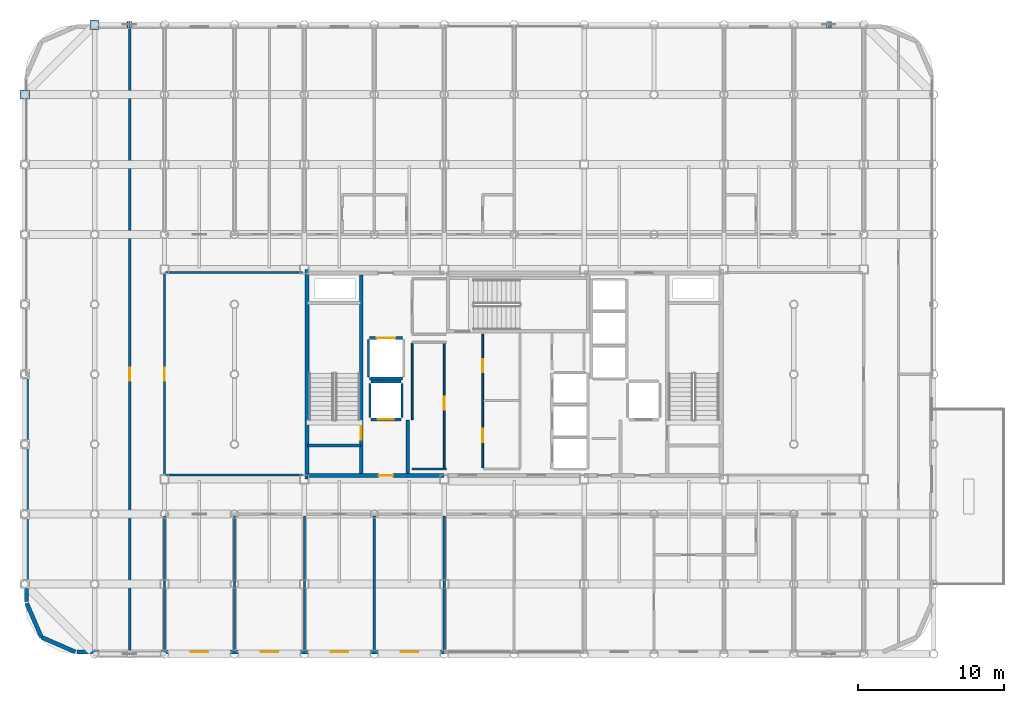
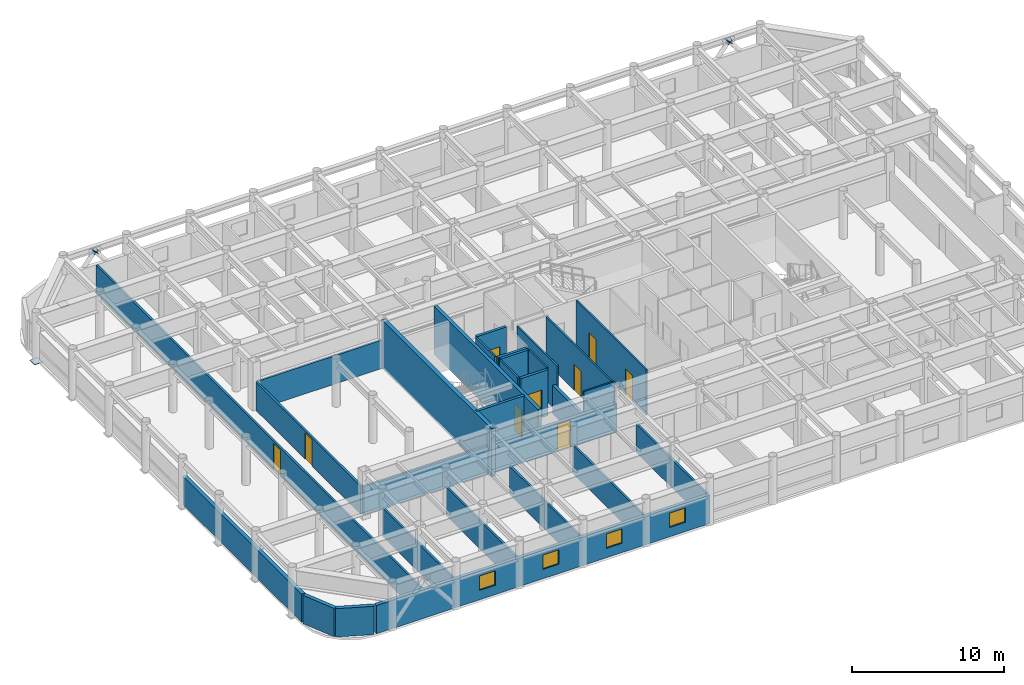
# One storey, part 19 of 25: 29 walls, 9 doors, 6 plates, 4 windows, 13 openings.
"""IFC4 building model written with IfcOpenShell, lengths in metres."""

from ifc_helpers import new_model, si_unit, direction, frame, frame_2d, origin, origin_2d, place, context, subcontext, project, spatial, polyline, rectangle, outline, extrude, material, layer, layer_set, type_object, element, fill, save


model = new_model("IFC4")

# Units and contexts
model_context = context("Model", 3, precision=1e-05, world=origin(), true_north=direction((0.0, 1.0)))
body_context = subcontext(model_context, "Body", "Model", "MODEL_VIEW")
ifc_project = project(units=[si_unit("LENGTHUNIT", "METRE"), si_unit("AREAUNIT", "SQUARE_METRE"), si_unit("VOLUMEUNIT", "CUBIC_METRE"), si_unit("PLANEANGLEUNIT", "RADIAN"), si_unit("MASSUNIT", "GRAM", prefix="KILO")], contexts=[model_context])

# Site, building, storey
site_placement = place(None, origin())
site = spatial("IfcSite", under=ifc_project, at=site_placement, CompositionType="ELEMENT")
building_placement = place(site_placement, origin())
building = spatial("IfcBuilding", under=site, at=building_placement, Name="Kallvorn Hotel Tower", CompositionType="ELEMENT")
storey_placement = place(building_placement, frame((0.0, 0.0, 249.25)))
storey = spatial("IfcBuildingStorey", under=building, at=storey_placement, Name="L62", CompositionType="ELEMENT", Elevation=249.25)

# Plates
ifc_material_1 = material(Name="Structural steel S355JR", Category="steel")
ifc_layer_1 = layer(ifc_material_1, 0.030029296875)
ifc_layer_set_1 = layer_set([ifc_layer_1], Name="PLT_CAP_30")
plate_type = type_object("IfcPlateType", Name="PLT_CAP_30", PredefinedType="SHEET", material=ifc_layer_set_1)
for number, where, z_axis, x_axis, name in (
    (1, (-33.60009765625, 19.199951171875, -0.2099609375), (0.0, 0.0, 1.0), (1.0, 0.0, 0.0), "L62 Hollow Column Base End Cap Plate 0285"),
    (2, (-28.800048828125, 24.0, -0.2099609375), (0.0, 0.0, 1.0), (1.0, 0.0, 0.0), "L62 Hollow Column Base End Cap Plate 0286"),
):
    element("IfcPlate", number, at=place(storey_placement, frame(where, z_axis=z_axis, x_axis=x_axis)), inside=storey, type_object=plate_type, Name=name, PredefinedType="SHEET", context=body_context, shape_type="SweptSolid", body=[
        extrude(rectangle(XDim=0.638916015625, YDim=0.638916015625, at=origin_2d()), origin(), (0.0, 0.0, 1.0), 0.030029296875),
    ])
plate_1_placement = place(storey_placement, frame((-26.235595703125, 23.798095703125, 3.09228515625), z_axis=(0.621445895256, 0.0, 0.783457081957), x_axis=(0.0, 1.0, 0.0)))
element("IfcPlate", 3, at=plate_1_placement, inside=storey, type_object=plate_type, Name="EXO-L62-N1A End Cap Plate B", PredefinedType="SHEET", context=body_context, shape_type="SweptSolid", body=[
    extrude(outline(polyline([(0.0, 0.0), (0.40380859375, 0.0), (0.40380859375, 0.40385907190922293), (0.0, 0.40385907190922293), (0.0, 0.0)])), origin(), (0.0, 0.0, -1.0), 0.030029296875),
])
plate_2_placement = place(storey_placement, frame((-26.564453125, 24.201904296875, 3.09228515625), z_axis=(-0.621151664719, 0.0, 0.783690378541), x_axis=(0.0, -1.0, 0.0)))
element("IfcPlate", 4, at=plate_2_placement, inside=storey, type_object=plate_type, Name="EXO-L62-N1B End Cap Plate B", PredefinedType="SHEET", context=body_context, shape_type="SweptSolid", body=[
    extrude(outline(polyline([(0.0, 0.0), (0.40380859375, 0.0), (0.40380859375, 0.4040503740962029), (0.0, 0.4040503740962029), (0.0, 0.0)])), origin(), (0.0, 0.0, -1.0), 0.030029296875),
])
plate_3_placement = place(storey_placement, frame((21.764404296875, 23.798095703125, 3.09228515625), z_axis=(0.621445895256, 0.0, 0.783457081957), x_axis=(0.0, 1.0, 0.0)))
element("IfcPlate", 5, at=plate_3_placement, inside=storey, type_object=plate_type, Name="EXO-L62-N2A End Cap Plate B", PredefinedType="SHEET", context=body_context, shape_type="SweptSolid", body=[
    extrude(outline(polyline([(0.0, 0.0), (0.40380859375, 0.0), (0.40380859375, 0.40385907190922293), (0.0, 0.40385907190922293), (0.0, 0.0)])), origin(), (0.0, 0.0, -1.0), 0.030029296875),
])
plate_4_placement = place(storey_placement, frame((21.435546875, 24.201904296875, 3.09228515625), z_axis=(-0.621151664719, 0.0, 0.783690378541), x_axis=(0.0, -1.0, 0.0)))
element("IfcPlate", 6, at=plate_4_placement, inside=storey, type_object=plate_type, Name="EXO-L62-N2B End Cap Plate B", PredefinedType="SHEET", context=body_context, shape_type="SweptSolid", body=[
    extrude(outline(polyline([(0.0, 0.0), (0.40380859375, 0.0), (0.40380859375, 0.4040503740962029), (0.0, 0.4040503740962029), (0.0, 0.0)])), origin(), (0.0, 0.0, -1.0), 0.030029296875),
])

# Walls
ifc_material_2 = material(Name="Concrete C50/60", Category="concrete")
ifc_layer_2 = layer(ifc_material_2, 0.300048828125)
ifc_layer_set_2 = layer_set([ifc_layer_2], Name="WL_CORE_300")
wall_type_1 = type_object("IfcWallType", Name="WL_CORE_300", PredefinedType="SHEAR", material=ifc_layer_set_2)
wall_1_placement = place(storey_placement, frame((-14.215087890625, -7.199951171875, -0.179931640625), z_axis=(0.0, 0.0, 1.0), x_axis=(0.0, 1.0, 0.0)))
element("IfcWall", 7, at=wall_1_placement, inside=storey, type_object=wall_type_1, Name="L62 Core West Shear Wall", PredefinedType="SHEAR", context=body_context, shape_type="SweptSolid", body=[
    extrude(rectangle(XDim=14.39990234375, YDim=0.300048828125, at=frame_2d((7.199951171875, 0.0))), origin(), (0.0, 0.0, 1.0), 3.849853515625),
])
ifc_material_3 = material(Name="Precast basalt-clad insulated concrete wall C40/50", Category="masonry")
ifc_layer_3 = layer(ifc_material_3, 0.280029296875)
ifc_layer_set_3 = layer_set([ifc_layer_3], Name="WL_EXT_LOGGIA_280")
wall_type_2 = type_object("IfcWallType", Name="WL_EXT_LOGGIA_280", PredefinedType="SOLIDWALL", material=ifc_layer_set_3)
wall_2_placement = place(storey_placement, frame((-33.4580078125, -15.720703125, 0.0), z_axis=(0.0, 0.0, 1.0), x_axis=(0.398792985289, -0.917040977756, 0.0)))
element("IfcWall", 8, at=wall_2_placement, inside=storey, type_object=wall_type_2, Name="L62 Rounded Corner Exterior Wall SW1", PredefinedType="SOLIDWALL", context=body_context, shape_type="SweptSolid", body=[
    extrude(rectangle(XDim=2.536376953125, YDim=0.280029296875, at=frame_2d((1.26806640625, 0.0))), origin(), (0.0, 0.0, 1.0), 2.27001953125),
])
wall_3_placement = place(storey_placement, frame((-32.446533203125, -18.046630859375, 0.0), z_axis=(0.0, 0.0, 1.0), x_axis=(0.917060872934, -0.398747232384, 0.0)))
element("IfcWall", 9, at=wall_3_placement, inside=storey, type_object=wall_type_2, Name="L62 Rounded Corner Exterior Wall SW2", PredefinedType="SOLIDWALL", context=body_context, shape_type="SweptSolid", body=[
    extrude(rectangle(XDim=2.5361328125, YDim=0.280029296875, at=frame_2d((1.26806640625, 0.0))), origin(), (0.0, 0.0, 1.0), 2.27001953125),
])

# Wall, openings, windows
wall_4_placement = place(storey_placement, frame((-30.0, -19.06005859375, 0.0), z_axis=(0.0, 0.0, 1.0), x_axis=(1.0, 0.0, 0.0)))
wall_4 = element("IfcWall", 10, at=wall_4_placement, inside=storey, type_object=wall_type_2, Name="L62 Exterior Envelope Wall EW-L62-SW", PredefinedType="SOLIDWALL", context=body_context, shape_type="SweptSolid", body=[
    extrude(rectangle(XDim=25.25, YDim=0.280029296875, at=frame_2d((12.625, 0.0))), origin(), (0.0, 0.0, 1.0), 2.27001953125),
])
opening_1_placement = place(wall_4_placement, frame((7.800048828125, 0.0, 0.75)))
opening_1 = element("IfcOpeningElement", 11, at=opening_1_placement, cuts=wall_4, Name="Opening W06A", PredefinedType="OPENING", context=body_context, shape_type="SweptSolid", body=[
    extrude(rectangle(XDim=1.199951171875, YDim=1.14990234375, at=frame_2d((0.60009765625, 0.574951171875))), frame((0.0, 0.155029296875, 0.0), z_axis=(0.0, -1.0, 0.0), x_axis=(1.0, 0.0, 0.0)), (0.0, 0.0, 1.0), 0.31005859375),
])
opening_2_placement = place(wall_4_placement, frame((12.60009765625, 0.0, 0.75)))
opening_2 = element("IfcOpeningElement", 12, at=opening_2_placement, cuts=wall_4, Name="Opening W06A", PredefinedType="OPENING", context=body_context, shape_type="SweptSolid", body=[
    extrude(rectangle(XDim=1.199951171875, YDim=1.14990234375, at=frame_2d((0.60009765625, 0.574951171875))), frame((0.0, 0.155029296875, 0.0), z_axis=(0.0, -1.0, 0.0), x_axis=(1.0, 0.0, 0.0)), (0.0, 0.0, 1.0), 0.31005859375),
])
opening_3_placement = place(wall_4_placement, frame((17.39990234375, 0.0, 0.75)))
opening_3 = element("IfcOpeningElement", 13, at=opening_3_placement, cuts=wall_4, Name="Opening W06A", PredefinedType="OPENING", context=body_context, shape_type="SweptSolid", body=[
    extrude(rectangle(XDim=1.199951171875, YDim=1.14990234375, at=frame_2d((0.60009765625, 0.574951171875))), frame((0.0, 0.155029296875, 0.0), z_axis=(0.0, -1.0, 0.0), x_axis=(1.0, 0.0, 0.0)), (0.0, 0.0, 1.0), 0.31005859375),
])
opening_4_placement = place(wall_4_placement, frame((22.199951171875, 0.0, 0.75)))
opening_4 = element("IfcOpeningElement", 14, at=opening_4_placement, cuts=wall_4, Name="Opening W06A", PredefinedType="OPENING", context=body_context, shape_type="SweptSolid", body=[
    extrude(rectangle(XDim=1.199951171875, YDim=1.14990234375, at=frame_2d((0.60009765625, 0.574951171875))), frame((0.0, 0.155029296875, 0.0), z_axis=(0.0, -1.0, 0.0), x_axis=(1.0, 0.0, 0.0)), (0.0, 0.0, 1.0), 0.31005859375),
])
ifc_material_4 = material(Name="Triple-glazed low-e acoustic solar-control dark glass", Category="glass")
window_type = type_object("IfcWindowType", Name="WN_HTL_1200x1150", PartitioningType="SINGLE_PANEL", PredefinedType="WINDOW", material=ifc_material_4)
window_1_placement = place(opening_1_placement, origin())
window_1 = element("IfcWindow", 15, at=window_1_placement, inside=storey, type_object=window_type, Name="L62 Guestroom Exterior Window 01", OverallHeight=1.14990234375, OverallWidth=1.199951171875, PartitioningType="SINGLE_PANEL", PredefinedType="WINDOW", context=body_context, shape_type="SweptSolid", body=[
    extrude(rectangle(XDim=1.199951171875, YDim=1.14990234375, at=frame_2d((0.60009765625, 0.574951171875))), frame((0.0, 0.030029296875, 0.0), z_axis=(0.0, -1.0, 0.0), x_axis=(1.0, 0.0, 0.0)), (0.0, 0.0, 1.0), 0.06005859375),
])
fill(opening_1, window_1)
window_2_placement = place(opening_2_placement, origin())
window_2 = element("IfcWindow", 16, at=window_2_placement, inside=storey, type_object=window_type, Name="L62 Guestroom Exterior Window 04", OverallHeight=1.14990234375, OverallWidth=1.199951171875, PartitioningType="SINGLE_PANEL", PredefinedType="WINDOW", context=body_context, shape_type="SweptSolid", body=[
    extrude(rectangle(XDim=1.199951171875, YDim=1.14990234375, at=frame_2d((0.60009765625, 0.574951171875))), frame((0.0, 0.030029296875, 0.0), z_axis=(0.0, -1.0, 0.0), x_axis=(1.0, 0.0, 0.0)), (0.0, 0.0, 1.0), 0.06005859375),
])
fill(opening_2, window_2)
window_3_placement = place(opening_3_placement, origin())
window_3 = element("IfcWindow", 17, at=window_3_placement, inside=storey, type_object=window_type, Name="L62 Guestroom Exterior Window 05", OverallHeight=1.14990234375, OverallWidth=1.199951171875, PartitioningType="SINGLE_PANEL", PredefinedType="WINDOW", context=body_context, shape_type="SweptSolid", body=[
    extrude(rectangle(XDim=1.199951171875, YDim=1.14990234375, at=frame_2d((0.60009765625, 0.574951171875))), frame((0.0, 0.030029296875, 0.0), z_axis=(0.0, -1.0, 0.0), x_axis=(1.0, 0.0, 0.0)), (0.0, 0.0, 1.0), 0.06005859375),
])
fill(opening_3, window_3)
window_4_placement = place(opening_4_placement, origin())
window_4 = element("IfcWindow", 18, at=window_4_placement, inside=storey, type_object=window_type, Name="L62 Guestroom Exterior Window 06", OverallHeight=1.14990234375, OverallWidth=1.199951171875, PartitioningType="SINGLE_PANEL", PredefinedType="WINDOW", context=body_context, shape_type="SweptSolid", body=[
    extrude(rectangle(XDim=1.199951171875, YDim=1.14990234375, at=frame_2d((0.60009765625, 0.574951171875))), frame((0.0, 0.030029296875, 0.0), z_axis=(0.0, -1.0, 0.0), x_axis=(1.0, 0.0, 0.0)), (0.0, 0.0, 1.0), 0.06005859375),
])
fill(opening_4, window_4)

# Walls
wall_5_placement = place(storey_placement, frame((-33.4599609375, -15.60009765625, 0.0), z_axis=(0.0, 0.0, 1.0), x_axis=(0.0, 1.0, 0.0)))
element("IfcWall", 19, at=wall_5_placement, inside=storey, type_object=wall_type_2, Name="L62 Exterior Envelope Wall EW-L62-WS", PredefinedType="SOLIDWALL", context=body_context, shape_type="SweptSolid", body=[
    extrude(rectangle(XDim=15.580078125, YDim=0.280029296875, at=frame_2d((7.7900390625, 0.0))), origin(), (0.0, 0.0, 1.0), 2.27001953125),
])
ifc_material_5 = material(Name="Concrete C40/50", Category="concrete")
ifc_layer_4 = layer(ifc_material_5, 0.219970703125)
ifc_layer_set_4 = layer_set([ifc_layer_4], Name="WL_FFL_220")
wall_type_3 = type_object("IfcWallType", Name="WL_FFL_220", PredefinedType="SOLIDWALL", material=ifc_layer_set_4)
wall_6_placement = place(storey_placement, frame((-7.300048828125, -6.820068359375, 0.0), z_axis=(0.0, 0.0, 1.0), x_axis=(0.0, 1.0, 0.0)))
element("IfcWall", 20, at=wall_6_placement, inside=storey, type_object=wall_type_3, Name="L62 Firefighting Lobby West Divider Wall", PredefinedType="SOLIDWALL", context=body_context, shape_type="SweptSolid", body=[
    extrude(rectangle(XDim=3.670166015625, YDim=0.219970703125, at=frame_2d((1.8349609375, 0.0))), origin(), (0.0, 0.0, 1.0), 2.27001953125),
])
ifc_material_6 = material(Name="Concrete C40/50", Category="concrete")
ifc_layer_5 = layer(ifc_material_6, 0.199951171875)
ifc_layer_set_5 = layer_set([ifc_layer_5], Name="WL_HOIST_200")
wall_type_4 = type_object("IfcWallType", Name="WL_HOIST_200", PredefinedType="SOLIDWALL", material=ifc_layer_set_5)
wall_7_placement = place(storey_placement, frame((-14.199951171875, -4.89990234375, -0.179931640625), z_axis=(0.0, 0.0, 1.0), x_axis=(1.0, 0.0, 0.0)))
element("IfcWall", 21, at=wall_7_placement, inside=storey, type_object=wall_type_4, Name="L62 Stair ST1 South Wall", PredefinedType="SOLIDWALL", context=body_context, shape_type="SweptSolid", body=[
    extrude(rectangle(XDim=3.64990234375, YDim=0.199951171875, at=frame_2d((1.824951171875, 0.0))), origin(), (0.0, 0.0, 1.0), 3.849853515625),
])

# Wall, opening, door
wall_8_placement = place(storey_placement, frame((-9.820068359375, -3.10009765625, 0.0), z_axis=(0.0, 0.0, 1.0), x_axis=(1.0, 0.0, 0.0)))
wall_8 = element("IfcWall", 22, at=wall_8_placement, inside=storey, type_object=wall_type_4, Name="L62 FL-1 Landing Wall", PredefinedType="SOLIDWALL", context=body_context, shape_type="SweptSolid", body=[
    extrude(rectangle(XDim=2.0400390625, YDim=0.199951171875, at=frame_2d((1.02001953125, 0.0))), origin(), (0.0, 0.0, 1.0), 3.669921875),
])
opening_5_placement = place(wall_8_placement, frame((0.469970703125, 0.0, 0.0)))
opening_5 = element("IfcOpeningElement", 23, at=opening_5_placement, cuts=wall_8, Name="Opening LD-FL-1", PredefinedType="OPENING", context=body_context, shape_type="SweptSolid", body=[
    extrude(rectangle(XDim=1.10009765625, YDim=2.199951171875, at=frame_2d((0.550048828125, 1.10009765625))), frame((0.0, 0.114990234375, 0.0), z_axis=(0.0, -1.0, 0.0), x_axis=(1.0, 0.0, 0.0)), (0.0, 0.0, 1.0), 0.22998046875),
])
ifc_material_7 = material(Name="Brushed stainless-steel automatic sliding lift landing door", Category="steel")
door_type_1 = type_object("IfcDoorType", Name="LD_PASS_1100x2200", OperationType="SLIDING_TO_LEFT", PredefinedType="DOOR", material=ifc_material_7)
door_1_placement = place(opening_5_placement, origin())
door_1 = element("IfcDoor", 24, at=door_1_placement, inside=storey, type_object=door_type_1, Name="L62 Lift Landing Sliding Door LD-FL-1", OperationType="SLIDING_TO_LEFT", OverallHeight=2.199951171875, OverallWidth=1.10009765625, PredefinedType="DOOR", context=body_context, shape_type="SweptSolid", body=[
    extrude(rectangle(XDim=1.10009765625, YDim=2.199951171875, at=frame_2d((0.550048828125, 1.10009765625))), frame((0.0, 0.02490234375, 0.0), z_axis=(0.0, -1.0, 0.0), x_axis=(1.0, 0.0, 0.0)), (0.0, 0.0, 1.0), 0.050048828125),
])
fill(opening_5, door_1)

# Wall
wall_9_placement = place(storey_placement, frame((-9.820068359375, -0.5, 0.0), z_axis=(0.0, 0.0, 1.0), x_axis=(1.0, 0.0, 0.0)))
element("IfcWall", 25, at=wall_9_placement, inside=storey, type_object=wall_type_4, Name="L62 FL-1 Rear Shaft Wall", PredefinedType="SOLIDWALL", context=body_context, shape_type="SweptSolid", body=[
    extrude(rectangle(XDim=2.0400390625, YDim=0.199951171875, at=frame_2d((1.02001953125, 0.0))), origin(), (0.0, 0.0, 1.0), 3.669921875),
])

# Wall, opening, door
wall_10_placement = place(storey_placement, frame((-9.919921875, 2.5, 0.0), z_axis=(0.0, 0.0, 1.0), x_axis=(1.0, 0.0, 0.0)))
wall_10 = element("IfcWall", 26, at=wall_10_placement, inside=storey, type_object=wall_type_4, Name="L62 SV-01 Landing Wall", PredefinedType="SOLIDWALL", context=body_context, shape_type="SweptSolid", body=[
    extrude(rectangle(XDim=2.239990234375, YDim=0.199951171875, at=frame_2d((1.1201171875, 0.0))), origin(), (0.0, 0.0, 1.0), 3.669921875),
])
opening_6_placement = place(wall_10_placement, frame((0.4951171875, 0.0, 0.0)))
opening_6 = element("IfcOpeningElement", 27, at=opening_6_placement, cuts=wall_10, Name="Opening LD-SV-01", PredefinedType="OPENING", context=body_context, shape_type="SweptSolid", body=[
    extrude(rectangle(XDim=1.25, YDim=2.25, at=frame_2d((0.625, 1.125))), frame((0.0, 0.114990234375, 0.0), z_axis=(0.0, -1.0, 0.0), x_axis=(1.0, 0.0, 0.0)), (0.0, 0.0, 1.0), 0.22998046875),
])
ifc_material_8 = material(Name="Brushed stainless-steel automatic sliding lift landing door", Category="steel")
door_type_2 = type_object("IfcDoorType", Name="LD_SERV_1250x2250", OperationType="SLIDING_TO_LEFT", PredefinedType="DOOR", material=ifc_material_8)
door_2_placement = place(opening_6_placement, origin())
door_2 = element("IfcDoor", 28, at=door_2_placement, inside=storey, type_object=door_type_2, Name="L62 Lift Landing Sliding Door LD-SV-01", OperationType="SLIDING_TO_LEFT", OverallHeight=2.25, OverallWidth=1.25, PredefinedType="DOOR", context=body_context, shape_type="SweptSolid", body=[
    extrude(rectangle(XDim=1.25, YDim=2.25, at=frame_2d((0.625, 1.125))), frame((0.0, 0.02490234375, 0.0), z_axis=(0.0, -1.0, 0.0), x_axis=(1.0, 0.0, 0.0)), (0.0, 0.0, 1.0), 0.050048828125),
])
fill(opening_6, door_2)

# Walls
wall_11_placement = place(storey_placement, frame((-9.919921875, -0.300048828125, 0.0), z_axis=(0.0, 0.0, 1.0), x_axis=(1.0, 0.0, 0.0)))
element("IfcWall", 29, at=wall_11_placement, inside=storey, type_object=wall_type_4, Name="L62 SV-01 Rear Shaft Wall", PredefinedType="SOLIDWALL", context=body_context, shape_type="SweptSolid", body=[
    extrude(rectangle(XDim=2.239990234375, YDim=0.199951171875, at=frame_2d((1.1201171875, 0.0))), origin(), (0.0, 0.0, 1.0), 3.669921875),
])
ifc_material_9 = material(Name="Fire-rated double-layer acoustic gypsum drywall EI 60")
ifc_layer_6 = layer(ifc_material_9, 0.1201171875)
ifc_layer_set_6 = layer_set([ifc_layer_6], Name="WL_INT_120")
wall_type_5 = type_object("IfcWallType", Name="WL_INT_120", PredefinedType="PARTITIONING", material=ifc_layer_set_6)
for number, where, z_axis, x_axis, name in (
    (30, (-9.89990234375, -2.9599609375, 0.0), (0.0, 0.0, 1.0), (0.0, 1.0, 0.0), "L62 FL-1 West Shaft Wall"),
    (31, (-7.699951171875, -2.9599609375, 0.0), (0.0, 0.0, 1.0), (0.0, 1.0, 0.0), "L62 FL-1 East Shaft Wall"),
):
    element("IfcWall", number, at=place(storey_placement, frame(where, z_axis=z_axis, x_axis=x_axis)), inside=storey, type_object=wall_type_5, Name=name, PredefinedType="PARTITIONING", context=body_context, shape_type="SweptSolid", body=[
        extrude(rectangle(XDim=2.320068359375, YDim=0.1201171875, at=frame_2d((1.16015625, 0.0))), origin(), (0.0, 0.0, 1.0), 3.669921875),
    ])
wall_12_placement = place(storey_placement, frame((-10.0, -0.159912109375, 0.0), z_axis=(0.0, 0.0, 1.0), x_axis=(0.0, 1.0, 0.0)))
element("IfcWall", 32, at=wall_12_placement, inside=storey, type_object=wall_type_5, Name="L62 SV-01 West Shaft Wall", PredefinedType="PARTITIONING", context=body_context, shape_type="SweptSolid", body=[
    extrude(rectangle(XDim=2.52001953125, YDim=0.1201171875, at=frame_2d((1.260009765625, 0.0))), origin(), (0.0, 0.0, 1.0), 3.669921875),
])
wall_13_placement = place(storey_placement, frame((-7.0, -6.5, 0.0), z_axis=(0.0, 0.0, 1.0), x_axis=(1.0, 0.0, 0.0)))
element("IfcWall", 33, at=wall_13_placement, inside=storey, type_object=wall_type_5, Name="L62 Recaptured Butler and Room-Service Pantry Partition", PredefinedType="PARTITIONING", context=body_context, shape_type="SweptSolid", body=[
    extrude(rectangle(XDim=2.35009765625, YDim=0.1201171875, at=frame_2d((1.175048828125, 0.0))), origin(), (0.0, 0.0, 1.0), 3.669921875),
])
wall_14_placement = place(storey_placement, frame((-7.0, -3.110107421875, 0.0), z_axis=(0.0, 0.0, 1.0), x_axis=(0.0, 1.0, 0.0)))
element("IfcWall", 34, at=wall_14_placement, inside=storey, type_object=wall_type_5, Name="L62 Recaptured Butler and Room-Service Pantry Partition", PredefinedType="PARTITIONING", context=body_context, shape_type="SweptSolid", body=[
    extrude(rectangle(XDim=5.22509765625, YDim=0.1201171875, at=frame_2d((2.612548828125, 0.0))), origin(), (0.0, 0.0, 1.0), 3.669921875),
])

# Wall, opening, door
wall_15_placement = place(storey_placement, frame((-4.800048828125, -6.4150390625, 0.0), z_axis=(0.0, 0.0, 1.0), x_axis=(0.0, 1.0, 0.0)))
wall_15 = element("IfcWall", 35, at=wall_15_placement, inside=storey, type_object=wall_type_5, Name="L62 Recaptured Butler and Room-Service Pantry Partition", PredefinedType="PARTITIONING", context=body_context, shape_type="SweptSolid", body=[
    extrude(rectangle(XDim=8.530029296875, YDim=0.1201171875, at=frame_2d((4.26513671875, 0.0))), origin(), (0.0, 0.0, 1.0), 3.669921875),
])
opening_7_placement = place(wall_15_placement, frame((3.965087890625, 0.0, 0.0)))
opening_7 = element("IfcOpeningElement", 36, at=opening_7_placement, cuts=wall_15, Name="Opening SVD1", PredefinedType="OPENING", context=body_context, shape_type="SweptSolid", body=[
    extrude(rectangle(XDim=0.89990234375, YDim=2.10009765625, at=frame_2d((0.449951171875, 1.050048828125))), frame((0.0, 0.074951171875, 0.0), z_axis=(0.0, -1.0, 0.0), x_axis=(1.0, 0.0, 0.0)), (0.0, 0.0, 1.0), 0.150146484375),
])
ifc_material_10 = material(Name="Galvanised painted steel fire-rated door assembly", Category="steel")
door_type_3 = type_object("IfcDoorType", Name="DR_SERV_900x2100", OperationType="NOTDEFINED", PredefinedType="DOOR", material=ifc_material_10)
door_3_placement = place(opening_7_placement, origin())
door_3 = element("IfcDoor", 37, at=door_3_placement, inside=storey, type_object=door_type_3, Name="L62 Recaptured Butler and Room-Service Pantry Door", OperationType="SINGLE_SWING_LEFT", OverallHeight=2.10009765625, OverallWidth=0.89990234375, PredefinedType="DOOR", context=body_context, shape_type="SweptSolid", body=[
    extrude(rectangle(XDim=0.89990234375, YDim=2.10009765625, at=frame_2d((0.449951171875, 1.050048828125))), frame((0.0, 0.02490234375, 0.0), z_axis=(0.0, -1.0, 0.0), x_axis=(1.0, 0.0, 0.0)), (0.0, 0.0, 1.0), 0.050048828125),
])
fill(opening_7, door_3)

# Wall, openings, doors
wall_16_placement = place(storey_placement, frame((-2.155029296875, -6.4150390625, 0.0), z_axis=(0.0, 0.0, 1.0), x_axis=(0.0, 1.0, 0.0)))
wall_16 = element("IfcWall", 38, at=wall_16_placement, inside=storey, type_object=wall_type_5, Name="L62 High-Zone Sommelier and Beverage Pantry Partition", PredefinedType="PARTITIONING", context=body_context, shape_type="SweptSolid", body=[
    extrude(rectangle(XDim=9.1650390625, YDim=0.1201171875, at=frame_2d((4.58251953125, 0.0))), origin(), (0.0, 0.0, 1.0), 3.669921875),
])
opening_8_placement = place(wall_16_placement, frame((1.764892578125, 0.0, 0.0)))
opening_8 = element("IfcOpeningElement", 39, at=opening_8_placement, cuts=wall_16, Name="Opening SVD1", PredefinedType="OPENING", context=body_context, shape_type="SweptSolid", body=[
    extrude(rectangle(XDim=0.89990234375, YDim=2.10009765625, at=frame_2d((0.449951171875, 1.050048828125))), frame((0.0, 0.074951171875, 0.0), z_axis=(0.0, -1.0, 0.0), x_axis=(1.0, 0.0, 0.0)), (0.0, 0.0, 1.0), 0.150146484375),
])
opening_9_placement = place(wall_16_placement, frame((6.56494140625, 0.0, 0.0)))
opening_9 = element("IfcOpeningElement", 40, at=opening_9_placement, cuts=wall_16, Name="Opening SVD1", PredefinedType="OPENING", context=body_context, shape_type="SweptSolid", body=[
    extrude(rectangle(XDim=0.89990234375, YDim=2.10009765625, at=frame_2d((0.449951171875, 1.050048828125))), frame((0.0, 0.074951171875, 0.0), z_axis=(0.0, -1.0, 0.0), x_axis=(1.0, 0.0, 0.0)), (0.0, 0.0, 1.0), 0.150146484375),
])
door_4_placement = place(opening_8_placement, origin())
door_4 = element("IfcDoor", 41, at=door_4_placement, inside=storey, type_object=door_type_3, Name="L62 High-Zone Sommelier and Beverage Pantry Door", OperationType="SINGLE_SWING_LEFT", OverallHeight=2.10009765625, OverallWidth=0.89990234375, PredefinedType="DOOR", context=body_context, shape_type="SweptSolid", body=[
    extrude(rectangle(XDim=0.89990234375, YDim=2.10009765625, at=frame_2d((0.449951171875, 1.050048828125))), frame((0.0, 0.02490234375, 0.0), z_axis=(0.0, -1.0, 0.0), x_axis=(1.0, 0.0, 0.0)), (0.0, 0.0, 1.0), 0.050048828125),
])
fill(opening_8, door_4)
door_5_placement = place(opening_9_placement, origin())
door_5 = element("IfcDoor", 42, at=door_5_placement, inside=storey, type_object=door_type_3, Name="L62 High-Zone Housekeeping Reserve Store Door", OperationType="SINGLE_SWING_LEFT", OverallHeight=2.10009765625, OverallWidth=0.89990234375, PredefinedType="DOOR", context=body_context, shape_type="SweptSolid", body=[
    extrude(rectangle(XDim=0.89990234375, YDim=2.10009765625, at=frame_2d((0.449951171875, 1.050048828125))), frame((0.0, 0.02490234375, 0.0), z_axis=(0.0, -1.0, 0.0), x_axis=(1.0, 0.0, 0.0)), (0.0, 0.0, 1.0), 0.050048828125),
])
fill(opening_9, door_5)

# Walls
ifc_material_11 = material(Name="Fire-rated double-layer acoustic gypsum drywall EI 60")
ifc_layer_7 = layer(ifc_material_11, 0.14990234375)
ifc_layer_set_7 = layer_set([ifc_layer_7], Name="WL_PART_150")
wall_type_6 = type_object("IfcWallType", Name="WL_PART_150", PredefinedType="PARTITIONING", material=ifc_layer_set_7)
for number, where, z_axis, x_axis, name in (
    (43, (-23.919921875, -6.919921875, 0.0), (0.0, 0.0, 1.0), (1.0, 0.0, 0.0), "L62 L62 High-Zone Inner West Club Bar Partition"),
    (44, (-23.919921875, 6.97998046875, 0.0), (0.0, 0.0, 1.0), (1.0, 0.0, 0.0), "L62 L62 High-Zone Inner West Club Bar Partition"),
):
    element("IfcWall", number, at=place(storey_placement, frame(where, z_axis=z_axis, x_axis=x_axis)), inside=storey, type_object=wall_type_6, Name=name, PredefinedType="PARTITIONING", context=body_context, shape_type="SweptSolid", body=[
        extrude(rectangle(XDim=9.39990234375, YDim=0.14990234375, at=frame_2d((4.699951171875, 0.0))), origin(), (0.0, 0.0, 1.0), 2.27001953125),
    ])

# Wall, opening, door
wall_17_placement = place(storey_placement, frame((-26.3798828125, -18.909912109375, 0.0), z_axis=(0.0, 0.0, 1.0), x_axis=(0.0, 1.0, 0.0)))
wall_17 = element("IfcWall", 45, at=wall_17_placement, inside=storey, type_object=wall_type_6, Name="L62 L62 Outer West Sky Observatory Salon Partition", PredefinedType="PARTITIONING", context=body_context, shape_type="SweptSolid", body=[
    extrude(rectangle(XDim=42.619873046875, YDim=0.14990234375, at=frame_2d((21.31005859375, 0.0))), origin(), (0.0, 0.0, 1.0), 2.27001953125),
])
opening_10_placement = place(wall_17_placement, frame((18.4599609375, 0.0, 0.0)))
opening_10 = element("IfcOpeningElement", 46, at=opening_10_placement, cuts=wall_17, Name="Opening SVD1", PredefinedType="OPENING", context=body_context, shape_type="SweptSolid", body=[
    extrude(rectangle(XDim=0.89990234375, YDim=2.10009765625, at=frame_2d((0.449951171875, 1.050048828125))), frame((0.0, 0.08984375, 0.0), z_axis=(0.0, -1.0, 0.0), x_axis=(1.0, 0.0, 0.0)), (0.0, 0.0, 1.0), 0.179931640625),
])
door_6_placement = place(opening_10_placement, origin())
door_6 = element("IfcDoor", 47, at=door_6_placement, inside=storey, type_object=door_type_3, Name="L62 L62 Outer West Sky Observatory Salon Door", OperationType="SINGLE_SWING_RIGHT", OverallHeight=2.10009765625, OverallWidth=0.89990234375, PredefinedType="DOOR", context=body_context, shape_type="SweptSolid", body=[
    extrude(rectangle(XDim=0.89990234375, YDim=2.10009765625, at=frame_2d((0.449951171875, 1.050048828125))), frame((0.0, 0.02490234375, 0.0), z_axis=(0.0, -1.0, 0.0), x_axis=(1.0, 0.0, 0.0)), (0.0, 0.0, 1.0), 0.050048828125),
])
fill(opening_10, door_6)

# Wall
wall_18_placement = place(storey_placement, frame((-24.0, -18.909912109375, 0.0), z_axis=(0.0, 0.0, 1.0), x_axis=(0.0, 1.0, 0.0)))
element("IfcWall", 48, at=wall_18_placement, inside=storey, type_object=wall_type_6, Name="L62 L62 High-Zone South-West Tea Bar Partition", PredefinedType="PARTITIONING", context=body_context, shape_type="SweptSolid", body=[
    extrude(rectangle(XDim=9.18994140625, YDim=0.14990234375, at=frame_2d((4.594970703125, 0.0))), origin(), (0.0, 0.0, 1.0), 2.27001953125),
])

# Wall, opening, door
wall_19_placement = place(storey_placement, frame((-24.0, -6.8349609375, 0.0), z_axis=(0.0, 0.0, 1.0), x_axis=(0.0, 1.0, 0.0)))
wall_19 = element("IfcWall", 49, at=wall_19_placement, inside=storey, type_object=wall_type_6, Name="L62 L62 High-Zone Inner West Club Bar Partition", PredefinedType="PARTITIONING", context=body_context, shape_type="SweptSolid", body=[
    extrude(rectangle(XDim=13.72998046875, YDim=0.14990234375, at=frame_2d((6.864990234375, 0.0))), origin(), (0.0, 0.0, 1.0), 2.27001953125),
])
opening_11_placement = place(wall_19_placement, frame((6.385009765625, 0.0, 0.0)))
opening_11 = element("IfcOpeningElement", 50, at=opening_11_placement, cuts=wall_19, Name="Opening SVD1", PredefinedType="OPENING", context=body_context, shape_type="SweptSolid", body=[
    extrude(rectangle(XDim=0.89990234375, YDim=2.10009765625, at=frame_2d((0.449951171875, 1.050048828125))), frame((0.0, 0.08984375, 0.0), z_axis=(0.0, -1.0, 0.0), x_axis=(1.0, 0.0, 0.0)), (0.0, 0.0, 1.0), 0.179931640625),
])
door_7_placement = place(opening_11_placement, origin())
door_7 = element("IfcDoor", 51, at=door_7_placement, inside=storey, type_object=door_type_3, Name="L62 L62 High-Zone Inner West Club Bar Door", OperationType="SINGLE_SWING_LEFT", OverallHeight=2.10009765625, OverallWidth=0.89990234375, PredefinedType="DOOR", context=body_context, shape_type="SweptSolid", body=[
    extrude(rectangle(XDim=0.89990234375, YDim=2.10009765625, at=frame_2d((0.449951171875, 1.050048828125))), frame((0.0, 0.02490234375, 0.0), z_axis=(0.0, -1.0, 0.0), x_axis=(1.0, 0.0, 0.0)), (0.0, 0.0, 1.0), 0.050048828125),
])
fill(opening_11, door_7)

# Walls
for number, where, z_axis, x_axis, name in (
    (52, (-19.199951171875, -18.909912109375, 0.0), (0.0, 0.0, 1.0), (0.0, 1.0, 0.0), "L62 L62 Executive Co-Working Open-Plan Office 1-1 Partition"),
    (53, (-14.39990234375, -18.909912109375, 0.0), (0.0, 0.0, 1.0), (0.0, 1.0, 0.0), "L62 L62 Executive Co-Working Open-Plan Office 1-1 Partition"),
    (54, (-9.60009765625, -18.909912109375, 0.0), (0.0, 0.0, 1.0), (0.0, 1.0, 0.0), "L62 L62 Executive Co-Working Open-Plan Office 1-2 Partition"),
    (55, (-4.800048828125, -18.909912109375, 0.0), (0.0, 0.0, 1.0), (0.0, 1.0, 0.0), "L62 L62 Diplomatic Summit Conference Boardroom 2-1 Partition"),
):
    element("IfcWall", number, at=place(storey_placement, frame(where, z_axis=z_axis, x_axis=x_axis)), inside=storey, type_object=wall_type_6, Name=name, PredefinedType="PARTITIONING", context=body_context, shape_type="SweptSolid", body=[
        extrude(rectangle(XDim=9.18994140625, YDim=0.14990234375, at=frame_2d((4.594970703125, 0.0))), origin(), (0.0, 0.0, 1.0), 2.27001953125),
    ])

# Wall, opening, door
ifc_material_12 = material(Name="Concrete C40/50", Category="concrete")
ifc_layer_8 = layer(ifc_material_12, 0.25)
ifc_layer_set_8 = layer_set([ifc_layer_8], Name="WL_SHAFT_250")
wall_type_7 = type_object("IfcWallType", Name="WL_SHAFT_250", PredefinedType="SOLIDWALL", material=ifc_layer_set_8)
wall_20_placement = place(storey_placement, frame((-14.199951171875, -6.949951171875, 0.0), z_axis=(0.0, 0.0, 1.0), x_axis=(1.0, 0.0, 0.0)))
wall_20 = element("IfcWall", 56, at=wall_20_placement, inside=storey, type_object=wall_type_7, Name="L62 Core South-West Wall", PredefinedType="SOLIDWALL", context=body_context, shape_type="SweptSolid", body=[
    extrude(rectangle(XDim=9.39990234375, YDim=0.25, at=frame_2d((4.699951171875, 0.0))), origin(), (0.0, 0.0, 1.0), 2.27001953125),
])
opening_12_placement = place(wall_20_placement, frame((4.89990234375, 0.0, 0.0)))
opening_12 = element("IfcOpeningElement", 57, at=opening_12_placement, cuts=wall_20, Name="Opening FD1", PredefinedType="OPENING", context=body_context, shape_type="SweptSolid", body=[
    extrude(rectangle(XDim=1.0, YDim=2.14990234375, at=frame_2d((0.5, 1.074951171875))), frame((0.0, 0.139892578125, 0.0), z_axis=(0.0, -1.0, 0.0), x_axis=(1.0, 0.0, 0.0)), (0.0, 0.0, 1.0), 0.280029296875),
])
ifc_material_13 = material(Name="Galvanised painted steel fire-rated door assembly", Category="steel")
door_type_4 = type_object("IfcDoorType", Name="DR_FFL_1000x2150", OperationType="NOTDEFINED", PredefinedType="DOOR", material=ifc_material_13)
door_8_placement = place(opening_12_placement, origin())
door_8 = element("IfcDoor", 58, at=door_8_placement, inside=storey, type_object=door_type_4, Name="L62 Firefighting Lobby West Door", OperationType="SINGLE_SWING_LEFT", OverallHeight=2.14990234375, OverallWidth=1.0, PredefinedType="DOOR", context=body_context, shape_type="SweptSolid", body=[
    extrude(rectangle(XDim=1.0, YDim=2.14990234375, at=frame_2d((0.5, 1.074951171875))), frame((0.0, 0.02490234375, 0.0), z_axis=(0.0, -1.0, 0.0), x_axis=(1.0, 0.0, 0.0)), (0.0, 0.0, 1.0), 0.050048828125),
])
fill(opening_12, door_8)

wall_21_placement = place(storey_placement, frame((-10.5, -6.820068359375, -0.179931640625), z_axis=(0.0, 0.0, 1.0), x_axis=(0.0, 1.0, 0.0)))
wall_21 = element("IfcWall", 59, at=wall_21_placement, inside=storey, type_object=wall_type_7, Name="L62 Stair ST1 Shaft Wall", PredefinedType="SOLIDWALL", context=body_context, shape_type="SweptSolid", body=[
    extrude(rectangle(XDim=13.64013671875, YDim=0.25, at=frame_2d((6.820068359375, 0.0))), origin(), (0.0, 0.0, 1.0), 3.849853515625),
])
opening_13_placement = place(wall_21_placement, frame((2.320068359375, 0.0, 0.179931640625)))
opening_13 = element("IfcOpeningElement", 60, at=opening_13_placement, cuts=wall_21, Name="Opening SD1", PredefinedType="OPENING", context=body_context, shape_type="SweptSolid", body=[
    extrude(rectangle(XDim=0.949951171875, YDim=2.14990234375, at=frame_2d((0.47509765625, 1.074951171875))), frame((0.0, 0.139892578125, 0.0), z_axis=(0.0, -1.0, 0.0), x_axis=(1.0, 0.0, 0.0)), (0.0, 0.0, 1.0), 0.280029296875),
])
ifc_material_14 = material(Name="Galvanised painted steel fire-rated door assembly", Category="steel")
door_type_5 = type_object("IfcDoorType", Name="DR_STAIR_950x2150", OperationType="NOTDEFINED", PredefinedType="DOOR", material=ifc_material_14)
door_9_placement = place(opening_13_placement, origin())
door_9 = element("IfcDoor", 61, at=door_9_placement, inside=storey, type_object=door_type_5, Name="L62 Exit Stair ST1 Fire Door", OperationType="SINGLE_SWING_LEFT", OverallHeight=2.14990234375, OverallWidth=0.949951171875, PredefinedType="DOOR", context=body_context, shape_type="SweptSolid", body=[
    extrude(rectangle(XDim=0.949951171875, YDim=2.14990234375, at=frame_2d((0.47509765625, 1.074951171875))), frame((0.0, 0.02490234375, 0.0), z_axis=(0.0, -1.0, 0.0), x_axis=(1.0, 0.0, 0.0)), (0.0, 0.0, 1.0), 0.050048828125),
])
fill(opening_13, door_9)

save(model, "model.ifc")
